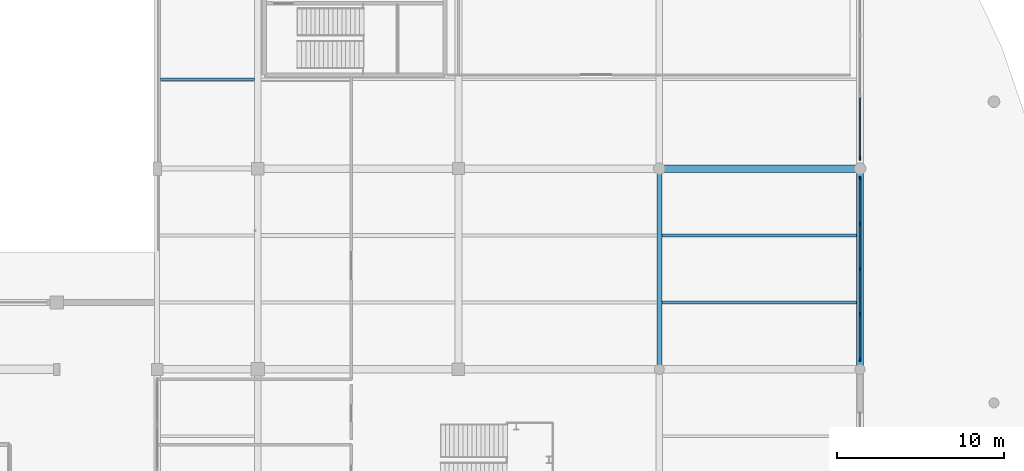
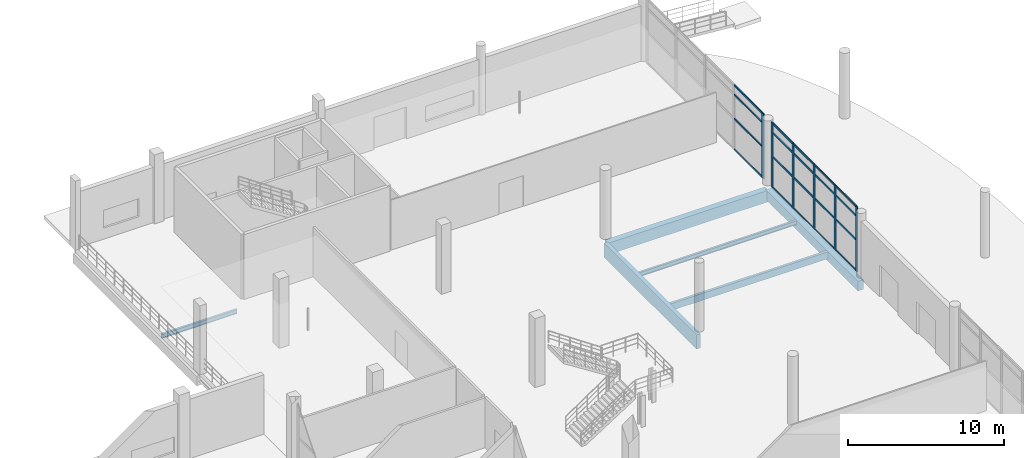
# One storey, part 37 of 85: 26 members, 6 beams, 2 elements without a shape of their own.
"""IFC4 building model written with IfcOpenShell, lengths in metres."""

import ifcopenshell
import ifcopenshell.guid

model = None  # the IFC model being written
_history = None  # IfcOwnerHistory: only IFC2X3 demands one
_inside = {}  # id of a spatial element -> (the spatial element, [elements in it])
_under = {}  # id of a project, library or spatial element -> (it, [spatial elements below it])
_declared = {}  # id of a project -> (the project, [libraries it declares])
_typed = {}  # id of a type object -> (the type object, [elements of that type])
_made_of = {}  # id of a material, layer set ... -> (it, [elements and type objects made of it])


def new_model(schema):
    """Start an empty IFC model of exactly this schema.

    Asked for "IFC4X3", IfcOpenShell would pick the latest addendum, in which some entities
    have other attributes; the version numbers below select the first issue.
    IFC2X3 requires an IfcOwnerHistory on every rooted entity: one is made here for all.
    """
    global model, _history
    if schema == "IFC4X3":
        model = ifcopenshell.file(schema_version=(4, 3, 0, 0))
    else:
        model = ifcopenshell.file(schema=schema)
    _inside.clear()
    _under.clear()
    _declared.clear()
    _typed.clear()
    _made_of.clear()
    _history = None
    if model.schema == "IFC2X3":
        org = make("IfcOrganization", Name="unknown")
        user = make(
            "IfcPersonAndOrganization",
            ThePerson=make("IfcPerson", FamilyName="unknown"),
            TheOrganization=org,
        )
        app = make(
            "IfcApplication",
            ApplicationDeveloper=org,
            Version="unknown",
            ApplicationFullName="unknown",
            ApplicationIdentifier="unknown",
        )
        _history = make(
            "IfcOwnerHistory",
            OwningUser=user,
            OwningApplication=app,
            ChangeAction="ADDED",
            CreationDate=0,
        )
    return model


def make(cls, **values):
    """One entity of the class cls with the attributes given. An attribute that is None is left unset."""
    return model.create_entity(
        cls, **{name: value for name, value in values.items() if value is not None}
    )


def rooted(cls, **values):
    """An entity with a GlobalId (a new one), such as an element, a storey or a relation."""
    return make(cls, GlobalId=ifcopenshell.guid.new(), OwnerHistory=_history, **values)


def si_unit(unit_type, name, prefix=None):
    """IfcSIUnit, for example si_unit("LENGTHUNIT", "METRE", prefix="MILLI")."""
    return make("IfcSIUnit", UnitType=unit_type, Prefix=prefix, Name=name)


def assignment(units):
    """IfcUnitAssignment: the units of a project."""
    return None if units is None else make("IfcUnitAssignment", Units=units)


def point(xyz):
    """IfcCartesianPoint."""
    return None if xyz is None else make("IfcCartesianPoint", Coordinates=xyz)


def direction(xyz):
    """IfcDirection."""
    return None if xyz is None else make("IfcDirection", DirectionRatios=xyz)


def frame(location, z_axis=None, x_axis=None):
    """IfcAxis2Placement3D, a coordinate frame: its origin and axes. An axis left out is left unset."""
    return make(
        "IfcAxis2Placement3D",
        Location=point(location),
        Axis=direction(z_axis),
        RefDirection=direction(x_axis),
    )


def frame_2d(location, x_axis=None):
    """IfcAxis2Placement2D, a coordinate frame in the plane: its origin and x axis."""
    return make(
        "IfcAxis2Placement2D", Location=point(location), RefDirection=direction(x_axis)
    )


def origin():
    """The frame at (0, 0, 0) with its axes left unset."""
    return frame((0.0, 0.0, 0.0))


def origin_2d():
    """The frame at (0, 0) in the plane with its x axis left unset."""
    return frame_2d((0.0, 0.0))


def place(relative_to, where):
    """IfcLocalPlacement: puts the frame where relative to a parent placement (None: the world)."""
    return make(
        "IfcLocalPlacement", PlacementRelTo=relative_to, RelativePlacement=where
    )


def context(
    kind, dimensions, precision=None, world=None, true_north=None, identifier=None
):
    """IfcGeometricRepresentationContext, for example the 3D "Model" context."""
    return make(
        "IfcGeometricRepresentationContext",
        ContextIdentifier=identifier,
        ContextType=kind,
        CoordinateSpaceDimension=dimensions,
        Precision=precision,
        WorldCoordinateSystem=world,
        TrueNorth=true_north,
    )


def subcontext(parent, identifier, kind, view, scale=None):
    """IfcGeometricRepresentationSubContext, for example "Body" below "Model"."""
    return make(
        "IfcGeometricRepresentationSubContext",
        ContextIdentifier=identifier,
        ContextType=kind,
        ParentContext=parent,
        TargetScale=scale,
        TargetView=view,
    )


def project(units=None, contexts=None):
    """IfcProject with its units and contexts."""
    return rooted(
        "IfcProject",
        Name="project",
        RepresentationContexts=contexts,
        UnitsInContext=assignment(units),
    )


def spatial(cls, under=None, at=None, **own):
    """A site, building, storey or space (cls), placed at a placement, below another one or the project."""
    s = rooted(cls, ObjectPlacement=at, **own)
    if under is not None:
        _under.setdefault(under.id(), (under, []))[1].append(s)
    return s


def profile(cls, at=None, kind="AREA", **sizes):
    """A parametric profile (cls). Its sizes go by their IFC names, for example OverallWidth=200.0."""
    return make(cls, ProfileType=kind, Position=at, **sizes)


def rectangle(**sizes):
    """IfcRectangleProfileDef."""
    return profile("IfcRectangleProfileDef", **sizes)


def i_section(**sizes):
    """IfcIShapeProfileDef."""
    return profile("IfcIShapeProfileDef", **sizes)


def extrude(swept, where, along, depth):
    """IfcExtrudedAreaSolid: the profile swept, set in the frame where, extruded along a direction by depth."""
    return make(
        "IfcExtrudedAreaSolid",
        SweptArea=swept,
        Position=where,
        ExtrudedDirection=direction(along),
        Depth=depth,
    )


def shape(context_of_items, identifier, shape_type, items):
    """IfcShapeRepresentation: the items that make up one representation, for example the "Body"."""
    return make(
        "IfcShapeRepresentation",
        ContextOfItems=context_of_items,
        RepresentationIdentifier=identifier,
        RepresentationType=shape_type,
        Items=items,
    )


def material(Name=None, Category=None):
    """IfcMaterial."""
    return make("IfcMaterial", Name=Name, Category=Category)


def material_profile(
    of_material, cross_section, Name=None, Category=None, Priority=None
):
    """IfcMaterialProfile: a cross section and its material."""
    return make(
        "IfcMaterialProfile",
        Name=Name,
        Material=of_material,
        Profile=cross_section,
        Priority=Priority,
        Category=Category,
    )


def profile_set(profiles, Name=None, composite=None):
    """IfcMaterialProfileSet."""
    return make(
        "IfcMaterialProfileSet",
        Name=Name,
        MaterialProfiles=profiles,
        CompositeProfile=composite,
    )


def made_of(thing, what):
    """Note that an element or type object is made of a material, layer set ...; save() writes the relation."""
    if what is not None:
        _made_of.setdefault(what.id(), (what, []))[1].append(thing)
    return thing


def type_object(cls, material=None, **own):
    """A type object (cls), such as IfcWallType, which elements share."""
    return made_of(rooted(cls, **own), material)


def element(
    cls,
    number,
    at=None,
    inside=None,
    cuts=None,
    type_object=None,
    material=None,
    context=None,
    identifier="Body",
    shape_type=None,
    held_by="IfcProductDefinitionShape",
    body=None,
    shapes=None,
    **own,
):
    """One element of the class cls, such as IfcWall. Its Tag is "e" and its number.

    at: its placement. inside: the storey or other place that contains it. cuts: it is an
    opening in that element (IfcRelVoidsElement). A single representation is given by context,
    identifier, shape_type and body (its items); several are given by shapes. held_by: the class
    of the entity that holds the representations. save() writes the other relations.
    """
    e = rooted(cls, Tag="e%d" % number, ObjectPlacement=at, **own)
    if body is not None:
        shapes = [shape(context, identifier, shape_type, body)]
    if shapes is not None:
        e.Representation = make(held_by, Representations=shapes)
    if inside is not None:
        _inside.setdefault(inside.id(), (inside, []))[1].append(e)
    if cuts is not None:
        rooted(
            "IfcRelVoidsElement", RelatingBuildingElement=cuts, RelatedOpeningElement=e
        )
    if type_object is not None:
        _typed.setdefault(type_object.id(), (type_object, []))[1].append(e)
    return made_of(e, material)


def aggregate(whole, parts):
    """IfcRelAggregates: a whole, such as a stair, and the parts it consists of."""
    return rooted("IfcRelAggregates", RelatingObject=whole, RelatedObjects=parts)


def save(model, path):
    """Write the relations noted so far, then the file.

    IfcRelAggregates (storeys below a building ...), IfcRelContainedInSpatialStructure (elements
    in a storey), IfcRelDefinesByType, IfcRelAssociatesMaterial and IfcRelDeclares: one each for
    every whole, place, type object, material and project.
    """
    for whole, parts in _under.values():
        aggregate(whole, parts)
    for where, things in _inside.values():
        rooted(
            "IfcRelContainedInSpatialStructure",
            RelatedElements=things,
            RelatingStructure=where,
        )
    for kind, things in _typed.values():
        rooted("IfcRelDefinesByType", RelatedObjects=things, RelatingType=kind)
    for what, things in _made_of.values():
        rooted("IfcRelAssociatesMaterial", RelatedObjects=things, RelatingMaterial=what)
    for by, libraries in _declared.values():
        rooted("IfcRelDeclares", RelatingContext=by, RelatedDefinitions=libraries)
    model.write(path)


model = new_model("IFC4")

# Units and contexts
model_context = context("Model", 3, precision=1e-05, world=origin(), true_north=direction((0.0, 1.0)))
body_context = subcontext(model_context, "Body", "Model", "MODEL_VIEW")
ifc_project = project(units=[si_unit("LENGTHUNIT", "METRE"), si_unit("AREAUNIT", "SQUARE_METRE"), si_unit("VOLUMEUNIT", "CUBIC_METRE"), si_unit("PLANEANGLEUNIT", "RADIAN"), si_unit("MASSUNIT", "GRAM", prefix="KILO"), si_unit("THERMODYNAMICTEMPERATUREUNIT", "KELVIN"), si_unit("POWERUNIT", "WATT")], contexts=[model_context])

# Site, building, storey
site_placement = place(None, origin())
site = spatial("IfcSite", under=ifc_project, at=site_placement, CompositionType="ELEMENT")
building_placement = place(site_placement, origin())
building = spatial("IfcBuilding", under=site, at=building_placement, Name="Solmara Park Aquatics Centre", CompositionType="ELEMENT")
storey_placement = place(building_placement, origin())
storey = spatial("IfcBuildingStorey", under=building, at=storey_placement, Name="L00", CompositionType="ELEMENT", Elevation=0.0)

# Curtain wall, members
ifc_material_1 = material(Name="Anodised Aluminium Curtain Wall Framing", Category="aluminium")
curtain_wall_type = type_object("IfcCurtainWallType", Name="ARC-CW-SYS02", PredefinedType="USERDEFINED", material=ifc_material_1)
curtain_wall_1_placement = place(storey_placement, origin())
curtain_wall_1 = element("IfcCurtainWall", 1, at=curtain_wall_1_placement, inside=storey, type_object=curtain_wall_type, Name="Curtain Wall CW-093", ObjectType="CURTAIN WALL", PredefinedType="USERDEFINED")
ifc_material_2 = material(Name="Anodised Aluminium Alloy 6063-T6", Category="aluminium")
ifc_material_profile_1 = material_profile(ifc_material_2, rectangle(XDim=0.074951171875, YDim=0.219970703125, at=origin_2d()), Name="ALU MULLION 75x220")
ifc_profile_set_1 = profile_set([ifc_material_profile_1], Name="Anodised Aluminium Alloy 6063-T6")
member_type_1 = type_object("IfcMemberType", Name="ARC-CWM-75x220", PredefinedType="MULLION", material=ifc_profile_set_1)
member_1_placement = place(storey_placement, frame((204.0, 49.199951171875, 0.0), z_axis=(0.0, 0.0, 1.0), x_axis=(1.0, 0.0, 0.0)))
member_1 = element("IfcMember", 2, at=member_1_placement, type_object=member_type_1, Name="CW-093 mullion 1", PredefinedType="MULLION", context=body_context, shape_type="SweptSolid", body=[
    extrude(rectangle(XDim=0.074951171875, YDim=0.219970703125, at=origin_2d()), origin(), (0.0, 0.0, 1.0), 5.080078125),
])
member_2_placement = place(storey_placement, frame((204.0, 51.89990234375, 0.0), z_axis=(0.0, 0.0, 1.0), x_axis=(1.0, 0.0, 0.0)))
member_2 = element("IfcMember", 3, at=member_2_placement, type_object=member_type_1, Name="CW-093 mullion 2", PredefinedType="MULLION", context=body_context, shape_type="SweptSolid", body=[
    extrude(rectangle(XDim=0.074951171875, YDim=0.219970703125, at=origin_2d()), origin(), (0.0, 0.0, 1.0), 5.080078125),
])
member_3_placement = place(storey_placement, frame((204.0, 54.60009765625, 0.0), z_axis=(0.0, 0.0, 1.0), x_axis=(1.0, 0.0, 0.0)))
member_3 = element("IfcMember", 4, at=member_3_placement, type_object=member_type_1, Name="CW-093 mullion 3", PredefinedType="MULLION", context=body_context, shape_type="SweptSolid", body=[
    extrude(rectangle(XDim=0.074951171875, YDim=0.219970703125, at=origin_2d()), origin(), (0.0, 0.0, 1.0), 5.080078125),
])
member_4_placement = place(storey_placement, frame((204.0, 57.300048828125, 0.0), z_axis=(0.0, 0.0, 1.0), x_axis=(1.0, 0.0, 0.0)))
member_4 = element("IfcMember", 5, at=member_4_placement, type_object=member_type_1, Name="CW-093 mullion 4", PredefinedType="MULLION", context=body_context, shape_type="SweptSolid", body=[
    extrude(rectangle(XDim=0.074951171875, YDim=0.219970703125, at=origin_2d()), origin(), (0.0, 0.0, 1.0), 5.080078125),
])
member_5_placement = place(storey_placement, frame((204.0, 60.0, 0.0), z_axis=(0.0, 0.0, 1.0), x_axis=(1.0, 0.0, 0.0)))
member_5 = element("IfcMember", 6, at=member_5_placement, type_object=member_type_1, Name="CW-093 mullion 5", PredefinedType="MULLION", context=body_context, shape_type="SweptSolid", body=[
    extrude(rectangle(XDim=0.074951171875, YDim=0.219970703125, at=origin_2d()), origin(), (0.0, 0.0, 1.0), 5.080078125),
])

# Curtain wall, member
curtain_wall_2_placement = place(storey_placement, origin())
curtain_wall_2 = element("IfcCurtainWall", 7, at=curtain_wall_2_placement, inside=storey, type_object=curtain_wall_type, Name="Curtain Wall CW-095", ObjectType="CURTAIN WALL", PredefinedType="USERDEFINED")
member_6_placement = place(storey_placement, frame((204.0, 61.199951171875, 0.0), z_axis=(0.0, 0.0, 1.0), x_axis=(1.0, 0.0, 0.0)))
member_6 = element("IfcMember", 8, at=member_6_placement, type_object=member_type_1, Name="CW-095 mullion 1", PredefinedType="MULLION", context=body_context, shape_type="SweptSolid", body=[
    extrude(rectangle(XDim=0.074951171875, YDim=0.219970703125, at=origin_2d()), origin(), (0.0, 0.0, 1.0), 5.080078125),
])

# Member
ifc_material_profile_2 = material_profile(ifc_material_2, rectangle(XDim=0.074951171875, YDim=0.14990234375, at=origin_2d()), Name="ALU TRANSOM 75x150")
ifc_profile_set_2 = profile_set([ifc_material_profile_2], Name="Anodised Aluminium Alloy 6063-T6")
member_type_2 = type_object("IfcMemberType", Name="ARC-CWT-75x150", PredefinedType="USERDEFINED", material=ifc_profile_set_2)
member_7_placement = place(storey_placement, frame((204.0, 49.219970703125, 0.0400390625), z_axis=(0.0, 1.0, 0.0), x_axis=(-1.0, 0.0, 0.0)))
member_7 = element("IfcMember", 9, at=member_7_placement, type_object=member_type_2, Name="CW-093 transom 1", ObjectType="TRANSOM", PredefinedType="USERDEFINED", context=body_context, shape_type="SweptSolid", body=[
    extrude(rectangle(XDim=0.074951171875, YDim=0.14990234375, at=origin_2d()), origin(), (0.0, 0.0, 1.0), 2.6201171875),
])

member_8_placement = place(storey_placement, frame((204.0, 49.219970703125, 2.449951171875), z_axis=(0.0, 1.0, 0.0), x_axis=(-1.0, 0.0, 0.0)))
member_8 = element("IfcMember", 10, at=member_8_placement, type_object=member_type_2, Name="CW-093 transom 2", ObjectType="TRANSOM", PredefinedType="USERDEFINED", context=body_context, shape_type="SweptSolid", body=[
    extrude(rectangle(XDim=0.074951171875, YDim=0.14990234375, at=origin_2d()), origin(), (0.0, 0.0, 1.0), 2.6201171875),
])

member_9_placement = place(storey_placement, frame((204.0, 49.219970703125, 4.330078125), z_axis=(0.0, 1.0, 0.0), x_axis=(-1.0, 0.0, 0.0)))
member_9 = element("IfcMember", 11, at=member_9_placement, type_object=member_type_2, Name="CW-093 transom 3", ObjectType="TRANSOM", PredefinedType="USERDEFINED", context=body_context, shape_type="SweptSolid", body=[
    extrude(rectangle(XDim=0.074951171875, YDim=0.14990234375, at=origin_2d()), origin(), (0.0, 0.0, 1.0), 2.6201171875),
])

member_10_placement = place(storey_placement, frame((204.0, 49.219970703125, 5.0400390625), z_axis=(0.0, 1.0, 0.0), x_axis=(-1.0, 0.0, 0.0)))
member_10 = element("IfcMember", 12, at=member_10_placement, type_object=member_type_2, Name="CW-093 transom 4", ObjectType="TRANSOM", PredefinedType="USERDEFINED", context=body_context, shape_type="SweptSolid", body=[
    extrude(rectangle(XDim=0.074951171875, YDim=0.14990234375, at=origin_2d()), origin(), (0.0, 0.0, 1.0), 2.6201171875),
])

member_11_placement = place(storey_placement, frame((204.0, 51.919921875, 0.0400390625), z_axis=(0.0, 1.0, 0.0), x_axis=(-1.0, 0.0, 0.0)))
member_11 = element("IfcMember", 13, at=member_11_placement, type_object=member_type_2, Name="CW-093 transom 5", ObjectType="TRANSOM", PredefinedType="USERDEFINED", context=body_context, shape_type="SweptSolid", body=[
    extrude(rectangle(XDim=0.074951171875, YDim=0.14990234375, at=origin_2d()), origin(), (0.0, 0.0, 1.0), 2.6201171875),
])

member_12_placement = place(storey_placement, frame((204.0, 51.919921875, 2.449951171875), z_axis=(0.0, 1.0, 0.0), x_axis=(-1.0, 0.0, 0.0)))
member_12 = element("IfcMember", 14, at=member_12_placement, type_object=member_type_2, Name="CW-093 transom 6", ObjectType="TRANSOM", PredefinedType="USERDEFINED", context=body_context, shape_type="SweptSolid", body=[
    extrude(rectangle(XDim=0.074951171875, YDim=0.14990234375, at=origin_2d()), origin(), (0.0, 0.0, 1.0), 2.6201171875),
])

member_13_placement = place(storey_placement, frame((204.0, 51.919921875, 4.330078125), z_axis=(0.0, 1.0, 0.0), x_axis=(-1.0, 0.0, 0.0)))
member_13 = element("IfcMember", 15, at=member_13_placement, type_object=member_type_2, Name="CW-093 transom 7", ObjectType="TRANSOM", PredefinedType="USERDEFINED", context=body_context, shape_type="SweptSolid", body=[
    extrude(rectangle(XDim=0.074951171875, YDim=0.14990234375, at=origin_2d()), origin(), (0.0, 0.0, 1.0), 2.6201171875),
])

member_14_placement = place(storey_placement, frame((204.0, 51.919921875, 5.0400390625), z_axis=(0.0, 1.0, 0.0), x_axis=(-1.0, 0.0, 0.0)))
member_14 = element("IfcMember", 16, at=member_14_placement, type_object=member_type_2, Name="CW-093 transom 8", ObjectType="TRANSOM", PredefinedType="USERDEFINED", context=body_context, shape_type="SweptSolid", body=[
    extrude(rectangle(XDim=0.074951171875, YDim=0.14990234375, at=origin_2d()), origin(), (0.0, 0.0, 1.0), 2.6201171875),
])

member_15_placement = place(storey_placement, frame((204.0, 54.6201171875, 0.0400390625), z_axis=(0.0, 1.0, 0.0), x_axis=(-1.0, 0.0, 0.0)))
member_15 = element("IfcMember", 17, at=member_15_placement, type_object=member_type_2, Name="CW-093 transom 9", ObjectType="TRANSOM", PredefinedType="USERDEFINED", context=body_context, shape_type="SweptSolid", body=[
    extrude(rectangle(XDim=0.074951171875, YDim=0.14990234375, at=origin_2d()), origin(), (0.0, 0.0, 1.0), 2.619873046875),
])

member_16_placement = place(storey_placement, frame((204.0, 54.6201171875, 2.449951171875), z_axis=(0.0, 1.0, 0.0), x_axis=(-1.0, 0.0, 0.0)))
member_16 = element("IfcMember", 18, at=member_16_placement, type_object=member_type_2, Name="CW-093 transom 10", ObjectType="TRANSOM", PredefinedType="USERDEFINED", context=body_context, shape_type="SweptSolid", body=[
    extrude(rectangle(XDim=0.074951171875, YDim=0.14990234375, at=origin_2d()), origin(), (0.0, 0.0, 1.0), 2.619873046875),
])

member_17_placement = place(storey_placement, frame((204.0, 54.6201171875, 4.330078125), z_axis=(0.0, 1.0, 0.0), x_axis=(-1.0, 0.0, 0.0)))
member_17 = element("IfcMember", 19, at=member_17_placement, type_object=member_type_2, Name="CW-093 transom 11", ObjectType="TRANSOM", PredefinedType="USERDEFINED", context=body_context, shape_type="SweptSolid", body=[
    extrude(rectangle(XDim=0.074951171875, YDim=0.14990234375, at=origin_2d()), origin(), (0.0, 0.0, 1.0), 2.619873046875),
])

member_18_placement = place(storey_placement, frame((204.0, 54.6201171875, 5.0400390625), z_axis=(0.0, 1.0, 0.0), x_axis=(-1.0, 0.0, 0.0)))
member_18 = element("IfcMember", 20, at=member_18_placement, type_object=member_type_2, Name="CW-093 transom 12", ObjectType="TRANSOM", PredefinedType="USERDEFINED", context=body_context, shape_type="SweptSolid", body=[
    extrude(rectangle(XDim=0.074951171875, YDim=0.14990234375, at=origin_2d()), origin(), (0.0, 0.0, 1.0), 2.619873046875),
])

member_19_placement = place(storey_placement, frame((204.0, 57.320068359375, 0.0400390625), z_axis=(0.0, 1.0, 0.0), x_axis=(-1.0, 0.0, 0.0)))
member_19 = element("IfcMember", 21, at=member_19_placement, type_object=member_type_2, Name="CW-093 transom 13", ObjectType="TRANSOM", PredefinedType="USERDEFINED", context=body_context, shape_type="SweptSolid", body=[
    extrude(rectangle(XDim=0.074951171875, YDim=0.14990234375, at=origin_2d()), origin(), (0.0, 0.0, 1.0), 2.619873046875),
])

member_20_placement = place(storey_placement, frame((204.0, 57.320068359375, 2.449951171875), z_axis=(0.0, 1.0, 0.0), x_axis=(-1.0, 0.0, 0.0)))
member_20 = element("IfcMember", 22, at=member_20_placement, type_object=member_type_2, Name="CW-093 transom 14", ObjectType="TRANSOM", PredefinedType="USERDEFINED", context=body_context, shape_type="SweptSolid", body=[
    extrude(rectangle(XDim=0.074951171875, YDim=0.14990234375, at=origin_2d()), origin(), (0.0, 0.0, 1.0), 2.619873046875),
])

member_21_placement = place(storey_placement, frame((204.0, 57.320068359375, 4.330078125), z_axis=(0.0, 1.0, 0.0), x_axis=(-1.0, 0.0, 0.0)))
member_21 = element("IfcMember", 23, at=member_21_placement, type_object=member_type_2, Name="CW-093 transom 15", ObjectType="TRANSOM", PredefinedType="USERDEFINED", context=body_context, shape_type="SweptSolid", body=[
    extrude(rectangle(XDim=0.074951171875, YDim=0.14990234375, at=origin_2d()), origin(), (0.0, 0.0, 1.0), 2.619873046875),
])

member_22_placement = place(storey_placement, frame((204.0, 57.320068359375, 5.0400390625), z_axis=(0.0, 1.0, 0.0), x_axis=(-1.0, 0.0, 0.0)))
member_22 = element("IfcMember", 24, at=member_22_placement, type_object=member_type_2, Name="CW-093 transom 16", ObjectType="TRANSOM", PredefinedType="USERDEFINED", context=body_context, shape_type="SweptSolid", body=[
    extrude(rectangle(XDim=0.074951171875, YDim=0.14990234375, at=origin_2d()), origin(), (0.0, 0.0, 1.0), 2.619873046875),
])

aggregate(curtain_wall_1, [member_1, member_2, member_3, member_4, member_5, member_7, member_8, member_9, member_10, member_11, member_12, member_13, member_14, member_15, member_16, member_17, member_18, member_19, member_20, member_21, member_22])

member_23_placement = place(storey_placement, frame((204.0, 61.219970703125, 0.0400390625), z_axis=(0.0, 1.0, 0.0), x_axis=(-1.0, 0.0, 0.0)))
member_23 = element("IfcMember", 25, at=member_23_placement, type_object=member_type_2, Name="CW-095 transom 1", ObjectType="TRANSOM", PredefinedType="USERDEFINED", context=body_context, shape_type="SweptSolid", body=[
    extrude(rectangle(XDim=0.074951171875, YDim=0.14990234375, at=origin_2d()), origin(), (0.0, 0.0, 1.0), 3.6201171875),
])

member_24_placement = place(storey_placement, frame((204.0, 61.219970703125, 2.449951171875), z_axis=(0.0, 1.0, 0.0), x_axis=(-1.0, 0.0, 0.0)))
member_24 = element("IfcMember", 26, at=member_24_placement, type_object=member_type_2, Name="CW-095 transom 2", ObjectType="TRANSOM", PredefinedType="USERDEFINED", context=body_context, shape_type="SweptSolid", body=[
    extrude(rectangle(XDim=0.074951171875, YDim=0.14990234375, at=origin_2d()), origin(), (0.0, 0.0, 1.0), 3.6201171875),
])

member_25_placement = place(storey_placement, frame((204.0, 61.219970703125, 4.330078125), z_axis=(0.0, 1.0, 0.0), x_axis=(-1.0, 0.0, 0.0)))
member_25 = element("IfcMember", 27, at=member_25_placement, type_object=member_type_2, Name="CW-095 transom 3", ObjectType="TRANSOM", PredefinedType="USERDEFINED", context=body_context, shape_type="SweptSolid", body=[
    extrude(rectangle(XDim=0.074951171875, YDim=0.14990234375, at=origin_2d()), origin(), (0.0, 0.0, 1.0), 3.6201171875),
])

member_26_placement = place(storey_placement, frame((204.0, 61.219970703125, 5.0400390625), z_axis=(0.0, 1.0, 0.0), x_axis=(-1.0, 0.0, 0.0)))
member_26 = element("IfcMember", 28, at=member_26_placement, type_object=member_type_2, Name="CW-095 transom 4", ObjectType="TRANSOM", PredefinedType="USERDEFINED", context=body_context, shape_type="SweptSolid", body=[
    extrude(rectangle(XDim=0.074951171875, YDim=0.14990234375, at=origin_2d()), origin(), (0.0, 0.0, 1.0), 3.6201171875),
])

aggregate(curtain_wall_2, [member_6, member_23, member_24, member_25, member_26])

# Beams
ifc_material_3 = material(Name="Glulam Timber GL28h", Category="wood")
ifc_material_profile_3 = material_profile(ifc_material_3, rectangle(XDim=0.300048828125, YDim=1.1201171875, at=origin_2d()), Name="GL28h 300x1120")
ifc_profile_set_3 = profile_set([ifc_material_profile_3], Name="Glulam Timber GL28h")
beam_type_1 = type_object("IfcBeamType", Name="STR-BM-GL300x1120", PredefinedType="BEAM", material=ifc_profile_set_3)
beam_1_placement = place(storey_placement, frame((192.0, 48.679931640625, -0.97998046875), z_axis=(0.0, 1.0, 0.0), x_axis=(-1.0, 0.0, 0.0)))
element("IfcBeam", 29, at=beam_1_placement, inside=storey, type_object=beam_type_1, Name="Girder BM-L00-0091", PredefinedType="BEAM", context=body_context, shape_type="SweptSolid", body=[
    extrude(rectangle(XDim=0.300048828125, YDim=1.1201171875, at=origin_2d()), origin(), (0.0, 0.0, 1.0), 11.840087890625),
])
ifc_material_4 = material(Name="Concrete C40/50", Category="concrete")
ifc_material_profile_4 = material_profile(ifc_material_4, rectangle(XDim=0.39990234375, YDim=0.75, at=origin_2d()), Name="RC 400x750")
ifc_profile_set_4 = profile_set([ifc_material_profile_4], Name="Concrete C40/50")
beam_type_2 = type_object("IfcBeamType", Name="STR-BM-RC400x750", PredefinedType="BEAM", material=ifc_profile_set_4)
beam_2_placement = place(storey_placement, frame((204.0, 48.679931640625, -0.794921875), z_axis=(0.0, 1.0, 0.0), x_axis=(-1.0, 0.0, 0.0)))
element("IfcBeam", 30, at=beam_2_placement, inside=storey, type_object=beam_type_2, Name="Girder BM-L00-0096", PredefinedType="BEAM", context=body_context, shape_type="SweptSolid", body=[
    extrude(rectangle(XDim=0.39990234375, YDim=0.75, at=origin_2d()), origin(), (0.0, 0.0, 1.0), 11.840087890625),
])
ifc_material_profile_5 = material_profile(ifc_material_4, rectangle(XDim=0.449951171875, YDim=0.89990234375, at=origin_2d()), Name="RC 450x900")
ifc_profile_set_5 = profile_set([ifc_material_profile_5], Name="Concrete C40/50")
beam_type_3 = type_object("IfcBeamType", Name="STR-BM-RC450x900", PredefinedType="BEAM", material=ifc_profile_set_5)
beam_3_placement = place(storey_placement, frame((192.080078125, 60.60009765625, -0.8701171875), z_axis=(1.0, 0.0, 0.0), x_axis=(0.0, 1.0, 0.0)))
element("IfcBeam", 31, at=beam_3_placement, inside=storey, type_object=beam_type_3, Name="Girder BM-L00-0069", PredefinedType="BEAM", context=body_context, shape_type="SweptSolid", body=[
    extrude(rectangle(XDim=0.449951171875, YDim=0.89990234375, at=origin_2d()), origin(), (0.0, 0.0, 1.0), 11.83984375),
])
ifc_material_profile_6 = material_profile(ifc_material_3, rectangle(XDim=0.199951171875, YDim=0.5400390625, at=origin_2d()), Name="GL28h 200x540")
ifc_profile_set_6 = profile_set([ifc_material_profile_6], Name="Glulam Timber GL28h")
beam_type_4 = type_object("IfcBeamType", Name="STR-JST-GL200x540", PredefinedType="JOIST", material=ifc_profile_set_6)
beam_4_placement = place(storey_placement, frame((192.14990234375, 52.60009765625, -0.68994140625), z_axis=(1.0, 0.0, 0.0), x_axis=(0.0, 1.0, 0.0)))
element("IfcBeam", 32, at=beam_4_placement, inside=storey, type_object=beam_type_4, Name="Floor Joist JST-L00-0054", PredefinedType="JOIST", context=body_context, shape_type="SweptSolid", body=[
    extrude(rectangle(XDim=0.199951171875, YDim=0.5400390625, at=origin_2d()), origin(), (0.0, 0.0, 1.0), 11.650146484375),
])
ifc_material_5 = material(Name="Structural Steel S355", Category="steel")
ifc_material_profile_7 = material_profile(ifc_material_5, i_section(OverallWidth=0.159912109375, OverallDepth=0.330078125, WebThickness=0.007568359375, FlangeThickness=0.011474609375, FilletRadius=0.01806640625, at=origin_2d()), Name="IPE 330")
ifc_profile_set_7 = profile_set([ifc_material_profile_7], Name="Structural Steel S355")
beam_type_5 = type_object("IfcBeamType", Name="STR-JST-IPE330", PredefinedType="JOIST", material=ifc_profile_set_7)
beam_5_placement = place(storey_placement, frame((162.199951171875, 65.933349609375, -0.5849609375), z_axis=(1.0, 0.0, 0.0), x_axis=(0.0, 1.0, 0.0)))
element("IfcBeam", 33, at=beam_5_placement, inside=storey, type_object=beam_type_5, Name="Floor Joist JST-L00-0033", PredefinedType="JOIST", context=body_context, shape_type="SweptSolid", body=[
    extrude(i_section(OverallWidth=0.159912109375, OverallDepth=0.330078125, WebThickness=0.007568359375, FlangeThickness=0.011474609375, FilletRadius=0.01806640625, at=origin_2d()), origin(), (0.0, 0.0, 1.0), 5.60009765625),
])
beam_6_placement = place(storey_placement, frame((192.14990234375, 56.60009765625, -0.5849609375), z_axis=(1.0, 0.0, 0.0), x_axis=(0.0, 1.0, 0.0)))
element("IfcBeam", 34, at=beam_6_placement, inside=storey, type_object=beam_type_5, Name="Floor Joist JST-L00-0055", PredefinedType="JOIST", context=body_context, shape_type="SweptSolid", body=[
    extrude(i_section(OverallWidth=0.159912109375, OverallDepth=0.330078125, WebThickness=0.007568359375, FlangeThickness=0.011474609375, FilletRadius=0.01806640625, at=origin_2d()), origin(), (0.0, 0.0, 1.0), 11.650146484375),
])

save(model, "model.ifc")
